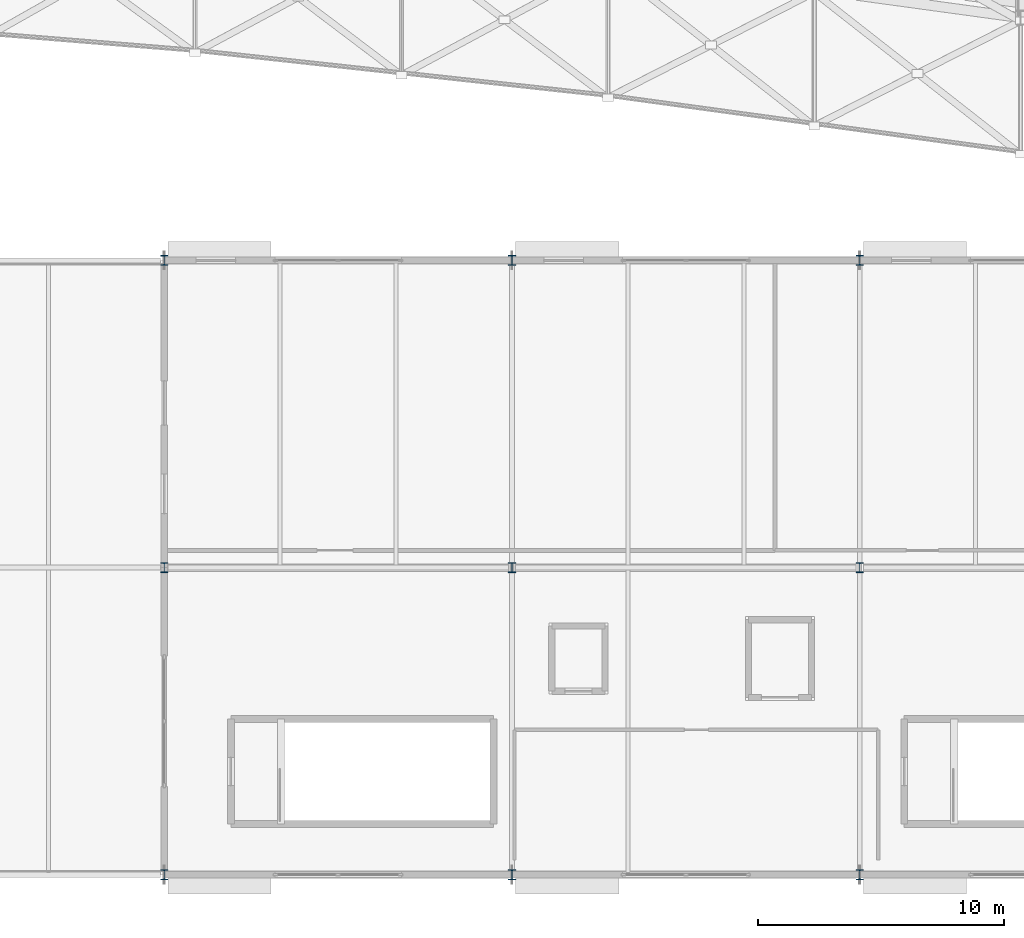
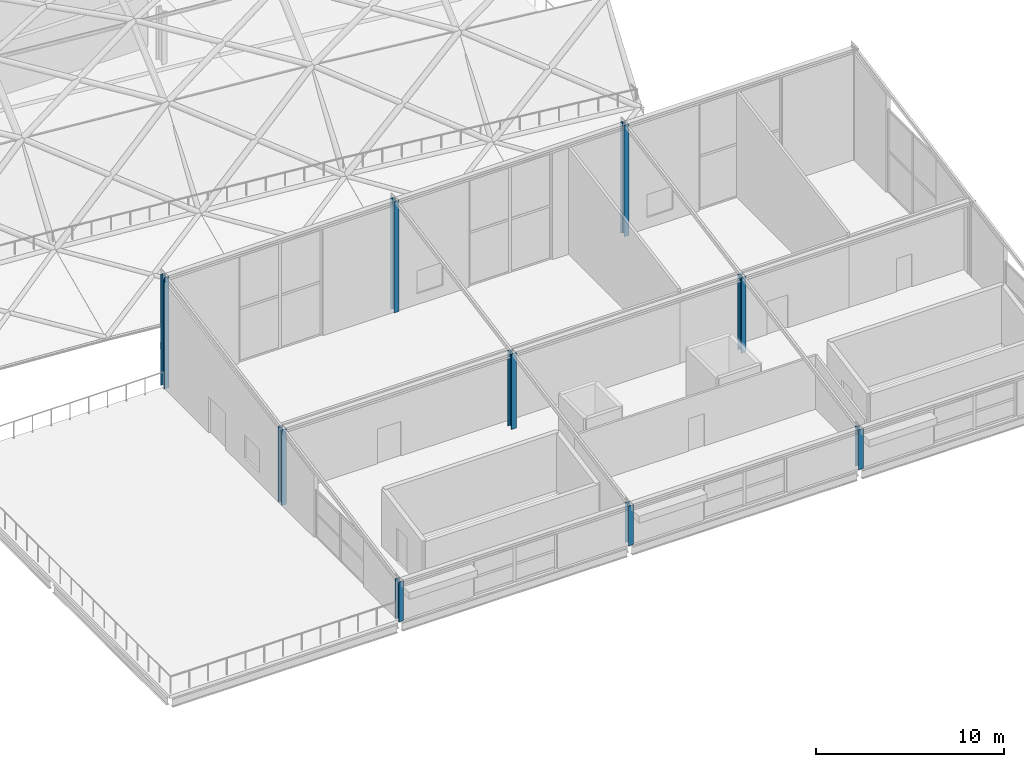
# One storey, part 6 of 100: 9 columns.
"""IFC4 building model written with IfcOpenShell, lengths in metres."""

from ifc_helpers import new_model, si_unit, direction, frame, origin, origin_2d, place, context, subcontext, project, spatial, i_section, extrude, material, material_profile, profile_set, type_object, element, save


model = new_model("IFC4")

# Units and contexts
model_context = context("Model", 3, precision=1e-05, world=origin(), true_north=direction((0.0, 1.0)))
body_context = subcontext(model_context, "Body", "Model", "MODEL_VIEW")
ifc_project = project(units=[si_unit("LENGTHUNIT", "METRE"), si_unit("AREAUNIT", "SQUARE_METRE"), si_unit("VOLUMEUNIT", "CUBIC_METRE"), si_unit("PLANEANGLEUNIT", "RADIAN"), si_unit("MASSUNIT", "GRAM", prefix="KILO")], contexts=[model_context])

# Site, building, storey
site_placement = place(None, origin())
site = spatial("IfcSite", under=ifc_project, at=site_placement, CompositionType="ELEMENT")
building_placement = place(site_placement, origin())
building = spatial("IfcBuilding", under=site, at=building_placement, Name="Kimbaza Rail Terminus", CompositionType="ELEMENT")
storey_placement = place(building_placement, frame((0.0, 0.0, 10.800048828125)))
storey = spatial("IfcBuildingStorey", under=building, at=storey_placement, Name="L02", CompositionType="ELEMENT", Elevation=10.800048828125)

# Columns
ifc_material = material(Name="Steel S355", Category="steel")
ifc_material_profile = material_profile(ifc_material, i_section(OverallWidth=0.300048828125, OverallDepth=0.39990234375, WebThickness=0.013427734375, FlangeThickness=0.02392578125, FilletRadius=0.027099609375, at=origin_2d()), Name="HEB 400")
ifc_profile_set = profile_set([ifc_material_profile], Name="Steel S355")
column_type = type_object("IfcColumnType", Name="STR-COL-HEB400", PredefinedType="COLUMN", material=ifc_profile_set)
column_1_placement = place(storey_placement, frame((171.550048828125, 13.0, 0.0), z_axis=(0.0, 0.0, 1.0), x_axis=(1.0, 0.0, 0.0)))
element("IfcColumn", 1, at=column_1_placement, inside=storey, type_object=column_type, Name="Retail Pavilion Column L02 (1,0)", PredefinedType="COLUMN", context=body_context, shape_type="SweptSolid", body=[
    extrude(i_section(OverallWidth=0.300048828125, OverallDepth=0.39990234375, WebThickness=0.013427734375, FlangeThickness=0.02392578125, FilletRadius=0.027099609375, at=origin_2d()), origin(), (0.0, 0.0, 1.0), 2.58984375),
])
column_2_placement = place(storey_placement, frame((171.550048828125, 25.5, 0.0), z_axis=(0.0, 0.0, 1.0), x_axis=(1.0, 0.0, 0.0)))
element("IfcColumn", 2, at=column_2_placement, inside=storey, type_object=column_type, Name="Retail Pavilion Column L02 (1,1)", PredefinedType="COLUMN", context=body_context, shape_type="SweptSolid", body=[
    extrude(i_section(OverallWidth=0.300048828125, OverallDepth=0.39990234375, WebThickness=0.013427734375, FlangeThickness=0.02392578125, FilletRadius=0.027099609375, at=origin_2d()), origin(), (0.0, 0.0, 1.0), 4.9150390625),
])
column_3_placement = place(storey_placement, frame((171.550048828125, 38.0, 0.0), z_axis=(0.0, 0.0, 1.0), x_axis=(1.0, 0.0, 0.0)))
element("IfcColumn", 3, at=column_3_placement, inside=storey, type_object=column_type, Name="Retail Pavilion Column L02 (1,2)", PredefinedType="COLUMN", context=body_context, shape_type="SweptSolid", body=[
    extrude(i_section(OverallWidth=0.300048828125, OverallDepth=0.39990234375, WebThickness=0.013427734375, FlangeThickness=0.02392578125, FilletRadius=0.027099609375, at=origin_2d()), origin(), (0.0, 0.0, 1.0), 7.239990234375),
])
column_4_placement = place(storey_placement, frame((185.699951171875, 13.0, 0.0), z_axis=(0.0, 0.0, 1.0), x_axis=(1.0, 0.0, 0.0)))
element("IfcColumn", 4, at=column_4_placement, inside=storey, type_object=column_type, Name="Retail Pavilion Column L02 (2,0)", PredefinedType="COLUMN", context=body_context, shape_type="SweptSolid", body=[
    extrude(i_section(OverallWidth=0.300048828125, OverallDepth=0.39990234375, WebThickness=0.013427734375, FlangeThickness=0.02392578125, FilletRadius=0.027099609375, at=origin_2d()), origin(), (0.0, 0.0, 1.0), 2.58984375),
])
column_5_placement = place(storey_placement, frame((185.699951171875, 25.5, 0.0), z_axis=(0.0, 0.0, 1.0), x_axis=(1.0, 0.0, 0.0)))
element("IfcColumn", 5, at=column_5_placement, inside=storey, type_object=column_type, Name="Retail Pavilion Column L02 (2,1)", PredefinedType="COLUMN", context=body_context, shape_type="SweptSolid", body=[
    extrude(i_section(OverallWidth=0.300048828125, OverallDepth=0.39990234375, WebThickness=0.013427734375, FlangeThickness=0.02392578125, FilletRadius=0.027099609375, at=origin_2d()), origin(), (0.0, 0.0, 1.0), 4.9150390625),
])
column_6_placement = place(storey_placement, frame((185.699951171875, 38.0, 0.0), z_axis=(0.0, 0.0, 1.0), x_axis=(1.0, 0.0, 0.0)))
element("IfcColumn", 6, at=column_6_placement, inside=storey, type_object=column_type, Name="Retail Pavilion Column L02 (2,2)", PredefinedType="COLUMN", context=body_context, shape_type="SweptSolid", body=[
    extrude(i_section(OverallWidth=0.300048828125, OverallDepth=0.39990234375, WebThickness=0.013427734375, FlangeThickness=0.02392578125, FilletRadius=0.027099609375, at=origin_2d()), origin(), (0.0, 0.0, 1.0), 7.239990234375),
])
column_7_placement = place(storey_placement, frame((199.85009765625, 13.0, 0.0), z_axis=(0.0, 0.0, 1.0), x_axis=(1.0, 0.0, 0.0)))
element("IfcColumn", 7, at=column_7_placement, inside=storey, type_object=column_type, Name="Retail Pavilion Column L02 (3,0)", PredefinedType="COLUMN", context=body_context, shape_type="SweptSolid", body=[
    extrude(i_section(OverallWidth=0.300048828125, OverallDepth=0.39990234375, WebThickness=0.013427734375, FlangeThickness=0.02392578125, FilletRadius=0.027099609375, at=origin_2d()), origin(), (0.0, 0.0, 1.0), 2.58984375),
])
column_8_placement = place(storey_placement, frame((199.85009765625, 25.5, 0.0), z_axis=(0.0, 0.0, 1.0), x_axis=(1.0, 0.0, 0.0)))
element("IfcColumn", 8, at=column_8_placement, inside=storey, type_object=column_type, Name="Retail Pavilion Column L02 (3,1)", PredefinedType="COLUMN", context=body_context, shape_type="SweptSolid", body=[
    extrude(i_section(OverallWidth=0.300048828125, OverallDepth=0.39990234375, WebThickness=0.013427734375, FlangeThickness=0.02392578125, FilletRadius=0.027099609375, at=origin_2d()), origin(), (0.0, 0.0, 1.0), 4.9150390625),
])
column_9_placement = place(storey_placement, frame((199.85009765625, 38.0, 0.0), z_axis=(0.0, 0.0, 1.0), x_axis=(1.0, 0.0, 0.0)))
element("IfcColumn", 9, at=column_9_placement, inside=storey, type_object=column_type, Name="Retail Pavilion Column L02 (3,2)", PredefinedType="COLUMN", context=body_context, shape_type="SweptSolid", body=[
    extrude(i_section(OverallWidth=0.300048828125, OverallDepth=0.39990234375, WebThickness=0.013427734375, FlangeThickness=0.02392578125, FilletRadius=0.027099609375, at=origin_2d()), origin(), (0.0, 0.0, 1.0), 7.239990234375),
])

save(model, "model.ifc")
